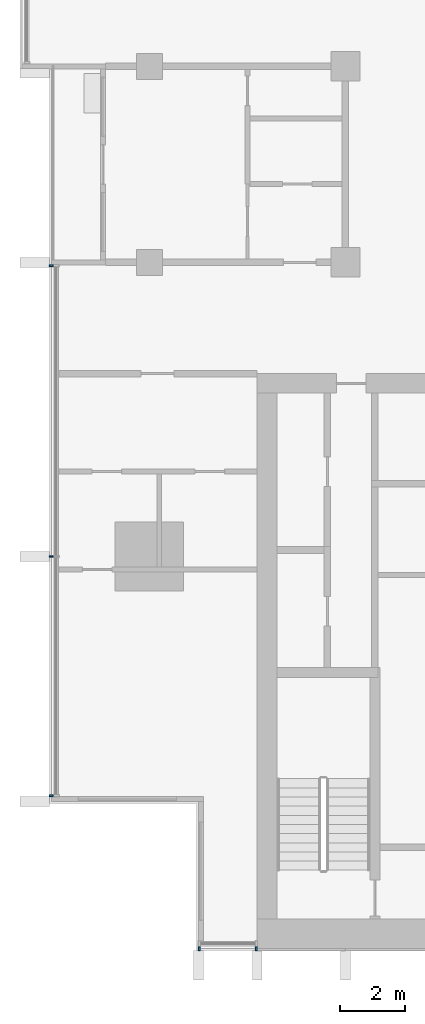
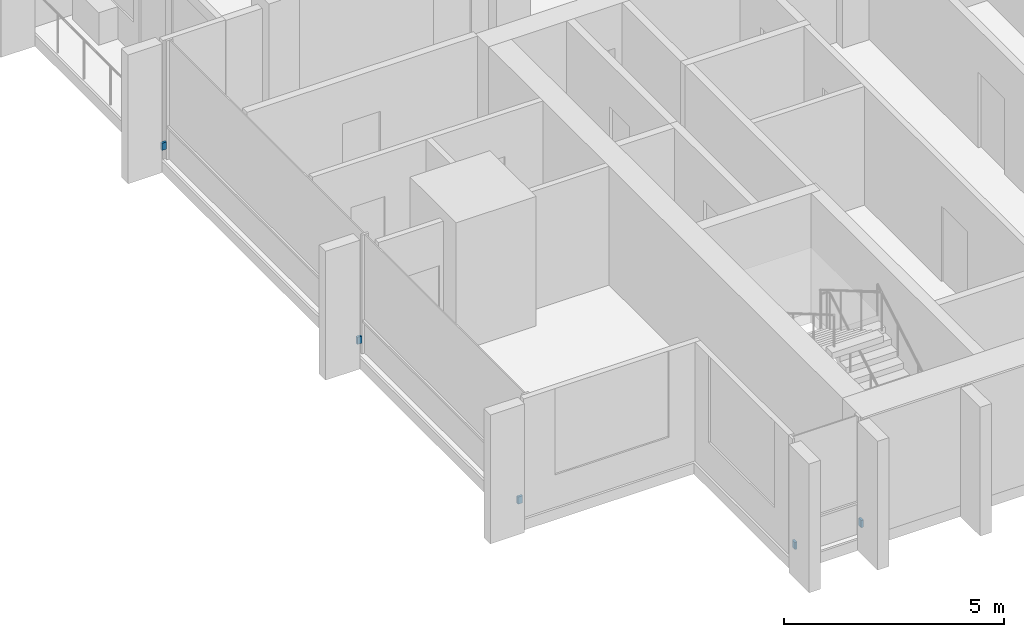
# One storey, part 12 of 16: 5 discrete accessories.
"""IFC4 building model written with IfcOpenShell, lengths in metres."""

import ifcopenshell
import ifcopenshell.guid

model = None  # the IFC model being written
_history = None  # IfcOwnerHistory: only IFC2X3 demands one
_inside = {}  # id of a spatial element -> (the spatial element, [elements in it])
_under = {}  # id of a project, library or spatial element -> (it, [spatial elements below it])
_declared = {}  # id of a project -> (the project, [libraries it declares])
_typed = {}  # id of a type object -> (the type object, [elements of that type])
_made_of = {}  # id of a material, layer set ... -> (it, [elements and type objects made of it])


def new_model(schema):
    """Start an empty IFC model of exactly this schema.

    Asked for "IFC4X3", IfcOpenShell would pick the latest addendum, in which some entities
    have other attributes; the version numbers below select the first issue.
    IFC2X3 requires an IfcOwnerHistory on every rooted entity: one is made here for all.
    """
    global model, _history
    if schema == "IFC4X3":
        model = ifcopenshell.file(schema_version=(4, 3, 0, 0))
    else:
        model = ifcopenshell.file(schema=schema)
    _inside.clear()
    _under.clear()
    _declared.clear()
    _typed.clear()
    _made_of.clear()
    _history = None
    if model.schema == "IFC2X3":
        org = make("IfcOrganization", Name="unknown")
        user = make(
            "IfcPersonAndOrganization",
            ThePerson=make("IfcPerson", FamilyName="unknown"),
            TheOrganization=org,
        )
        app = make(
            "IfcApplication",
            ApplicationDeveloper=org,
            Version="unknown",
            ApplicationFullName="unknown",
            ApplicationIdentifier="unknown",
        )
        _history = make(
            "IfcOwnerHistory",
            OwningUser=user,
            OwningApplication=app,
            ChangeAction="ADDED",
            CreationDate=0,
        )
    return model


def make(cls, **values):
    """One entity of the class cls with the attributes given. An attribute that is None is left unset."""
    return model.create_entity(
        cls, **{name: value for name, value in values.items() if value is not None}
    )


def rooted(cls, **values):
    """An entity with a GlobalId (a new one), such as an element, a storey or a relation."""
    return make(cls, GlobalId=ifcopenshell.guid.new(), OwnerHistory=_history, **values)


def si_unit(unit_type, name, prefix=None):
    """IfcSIUnit, for example si_unit("LENGTHUNIT", "METRE", prefix="MILLI")."""
    return make("IfcSIUnit", UnitType=unit_type, Prefix=prefix, Name=name)


def assignment(units):
    """IfcUnitAssignment: the units of a project."""
    return None if units is None else make("IfcUnitAssignment", Units=units)


def point(xyz):
    """IfcCartesianPoint."""
    return None if xyz is None else make("IfcCartesianPoint", Coordinates=xyz)


def direction(xyz):
    """IfcDirection."""
    return None if xyz is None else make("IfcDirection", DirectionRatios=xyz)


def frame(location, z_axis=None, x_axis=None):
    """IfcAxis2Placement3D, a coordinate frame: its origin and axes. An axis left out is left unset."""
    return make(
        "IfcAxis2Placement3D",
        Location=point(location),
        Axis=direction(z_axis),
        RefDirection=direction(x_axis),
    )


def frame_2d(location, x_axis=None):
    """IfcAxis2Placement2D, a coordinate frame in the plane: its origin and x axis."""
    return make(
        "IfcAxis2Placement2D", Location=point(location), RefDirection=direction(x_axis)
    )


def origin():
    """The frame at (0, 0, 0) with its axes left unset."""
    return frame((0.0, 0.0, 0.0))


def origin_2d():
    """The frame at (0, 0) in the plane with its x axis left unset."""
    return frame_2d((0.0, 0.0))


def place(relative_to, where):
    """IfcLocalPlacement: puts the frame where relative to a parent placement (None: the world)."""
    return make(
        "IfcLocalPlacement", PlacementRelTo=relative_to, RelativePlacement=where
    )


def context(
    kind, dimensions, precision=None, world=None, true_north=None, identifier=None
):
    """IfcGeometricRepresentationContext, for example the 3D "Model" context."""
    return make(
        "IfcGeometricRepresentationContext",
        ContextIdentifier=identifier,
        ContextType=kind,
        CoordinateSpaceDimension=dimensions,
        Precision=precision,
        WorldCoordinateSystem=world,
        TrueNorth=true_north,
    )


def subcontext(parent, identifier, kind, view, scale=None):
    """IfcGeometricRepresentationSubContext, for example "Body" below "Model"."""
    return make(
        "IfcGeometricRepresentationSubContext",
        ContextIdentifier=identifier,
        ContextType=kind,
        ParentContext=parent,
        TargetScale=scale,
        TargetView=view,
    )


def project(units=None, contexts=None):
    """IfcProject with its units and contexts."""
    return rooted(
        "IfcProject",
        Name="project",
        RepresentationContexts=contexts,
        UnitsInContext=assignment(units),
    )


def spatial(cls, under=None, at=None, **own):
    """A site, building, storey or space (cls), placed at a placement, below another one or the project."""
    s = rooted(cls, ObjectPlacement=at, **own)
    if under is not None:
        _under.setdefault(under.id(), (under, []))[1].append(s)
    return s


def profile(cls, at=None, kind="AREA", **sizes):
    """A parametric profile (cls). Its sizes go by their IFC names, for example OverallWidth=200.0."""
    return make(cls, ProfileType=kind, Position=at, **sizes)


def rectangle(**sizes):
    """IfcRectangleProfileDef."""
    return profile("IfcRectangleProfileDef", **sizes)


def extrude(swept, where, along, depth):
    """IfcExtrudedAreaSolid: the profile swept, set in the frame where, extruded along a direction by depth."""
    return make(
        "IfcExtrudedAreaSolid",
        SweptArea=swept,
        Position=where,
        ExtrudedDirection=direction(along),
        Depth=depth,
    )


def shape(context_of_items, identifier, shape_type, items):
    """IfcShapeRepresentation: the items that make up one representation, for example the "Body"."""
    return make(
        "IfcShapeRepresentation",
        ContextOfItems=context_of_items,
        RepresentationIdentifier=identifier,
        RepresentationType=shape_type,
        Items=items,
    )


def material(Name=None, Category=None):
    """IfcMaterial."""
    return make("IfcMaterial", Name=Name, Category=Category)


def made_of(thing, what):
    """Note that an element or type object is made of a material, layer set ...; save() writes the relation."""
    if what is not None:
        _made_of.setdefault(what.id(), (what, []))[1].append(thing)
    return thing


def type_object(cls, material=None, **own):
    """A type object (cls), such as IfcWallType, which elements share."""
    return made_of(rooted(cls, **own), material)


def element(
    cls,
    number,
    at=None,
    inside=None,
    cuts=None,
    type_object=None,
    material=None,
    context=None,
    identifier="Body",
    shape_type=None,
    held_by="IfcProductDefinitionShape",
    body=None,
    shapes=None,
    **own,
):
    """One element of the class cls, such as IfcWall. Its Tag is "e" and its number.

    at: its placement. inside: the storey or other place that contains it. cuts: it is an
    opening in that element (IfcRelVoidsElement). A single representation is given by context,
    identifier, shape_type and body (its items); several are given by shapes. held_by: the class
    of the entity that holds the representations. save() writes the other relations.
    """
    e = rooted(cls, Tag="e%d" % number, ObjectPlacement=at, **own)
    if body is not None:
        shapes = [shape(context, identifier, shape_type, body)]
    if shapes is not None:
        e.Representation = make(held_by, Representations=shapes)
    if inside is not None:
        _inside.setdefault(inside.id(), (inside, []))[1].append(e)
    if cuts is not None:
        rooted(
            "IfcRelVoidsElement", RelatingBuildingElement=cuts, RelatedOpeningElement=e
        )
    if type_object is not None:
        _typed.setdefault(type_object.id(), (type_object, []))[1].append(e)
    return made_of(e, material)


def aggregate(whole, parts):
    """IfcRelAggregates: a whole, such as a stair, and the parts it consists of."""
    return rooted("IfcRelAggregates", RelatingObject=whole, RelatedObjects=parts)


def save(model, path):
    """Write the relations noted so far, then the file.

    IfcRelAggregates (storeys below a building ...), IfcRelContainedInSpatialStructure (elements
    in a storey), IfcRelDefinesByType, IfcRelAssociatesMaterial and IfcRelDeclares: one each for
    every whole, place, type object, material and project.
    """
    for whole, parts in _under.values():
        aggregate(whole, parts)
    for where, things in _inside.values():
        rooted(
            "IfcRelContainedInSpatialStructure",
            RelatedElements=things,
            RelatingStructure=where,
        )
    for kind, things in _typed.values():
        rooted("IfcRelDefinesByType", RelatedObjects=things, RelatingType=kind)
    for what, things in _made_of.values():
        rooted("IfcRelAssociatesMaterial", RelatedObjects=things, RelatingMaterial=what)
    for by, libraries in _declared.values():
        rooted("IfcRelDeclares", RelatingContext=by, RelatedDefinitions=libraries)
    model.write(path)


model = new_model("IFC4")

# Units and contexts
model_context = context("Model", 3, precision=1e-05, world=origin(), true_north=direction((0.0, 1.0)))
body_context = subcontext(model_context, "Body", "Model", "MODEL_VIEW")
ifc_project = project(units=[si_unit("LENGTHUNIT", "METRE"), si_unit("AREAUNIT", "SQUARE_METRE"), si_unit("VOLUMEUNIT", "CUBIC_METRE"), si_unit("PLANEANGLEUNIT", "RADIAN"), si_unit("MASSUNIT", "GRAM", prefix="KILO")], contexts=[model_context])

# Site, building, storey
site_placement = place(None, origin())
site = spatial("IfcSite", under=ifc_project, at=site_placement, CompositionType="ELEMENT")
building_placement = place(site_placement, origin())
building = spatial("IfcBuilding", under=site, at=building_placement, Name="Finial Court Residences", CompositionType="ELEMENT")
storey_placement = place(building_placement, frame((0.0, 0.0, 233.89990234375)))
storey = spatial("IfcBuildingStorey", under=building, at=storey_placement, Name="L59", CompositionType="ELEMENT", Elevation=233.89990234375)

# Discrete accessories
ifc_material = material(Name="Stainless steel 316", Category="steel")
discrete_accessory_type = type_object("IfcDiscreteAccessoryType", Name="Fin bracket, stainless steel 60 x 122 x 200", PredefinedType="BRACKET", material=ifc_material)
for number, where, z_axis, x_axis, name in (
    (1, (-14.969970703125, -25.498779296875, 0.30029296875), (0.0, 0.0, 1.0), (1.0, 0.0, 0.0), "E-L59-FIN-S13-BRK"),
    (2, (-13.22998046875, -25.498779296875, 0.30029296875), (0.0, 0.0, 1.0), (1.0, 0.0, 0.0), "E-L59-FIN-S14-BRK"),
):
    element("IfcDiscreteAccessory", number, at=place(storey_placement, frame(where, z_axis=z_axis, x_axis=x_axis)), inside=storey, type_object=discrete_accessory_type, Name=name, PredefinedType="BRACKET", context=body_context, shape_type="SweptSolid", body=[
        extrude(rectangle(XDim=0.06005859375, YDim=0.12255859375, at=origin_2d()), origin(), (0.0, 0.0, 1.0), 0.199951171875),
    ])
for number, where, z_axis, x_axis, name in (
    (3, (-19.498779296875, -20.820068359375, 0.30029296875), (0.0, 0.0, 1.0), (1.0, 0.0, 0.0), "E-L59-FIN-W21-BRK"),
    (4, (-19.498779296875, -13.5, 0.30029296875), (0.0, 0.0, 1.0), (1.0, 0.0, 0.0), "E-L59-FIN-W22-BRK"),
    (5, (-19.498779296875, -4.60498046875, 0.30029296875), (0.0, 0.0, 1.0), (1.0, 0.0, 0.0), "E-L59-FIN-W23-BRK"),
):
    element("IfcDiscreteAccessory", number, at=place(storey_placement, frame(where, z_axis=z_axis, x_axis=x_axis)), inside=storey, type_object=discrete_accessory_type, Name=name, PredefinedType="BRACKET", context=body_context, shape_type="SweptSolid", body=[
        extrude(rectangle(XDim=0.12255859375, YDim=0.06005859375, at=origin_2d()), origin(), (0.0, 0.0, 1.0), 0.199951171875),
    ])

save(model, "model.ifc")
